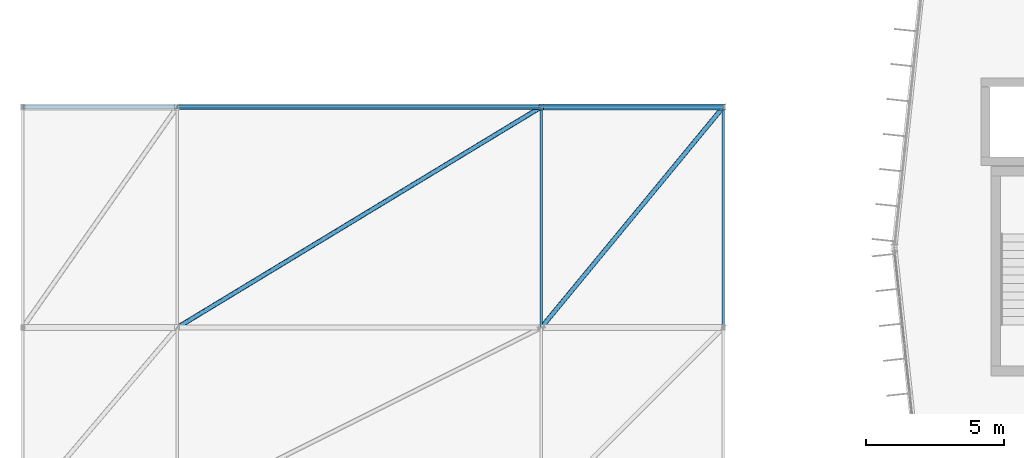
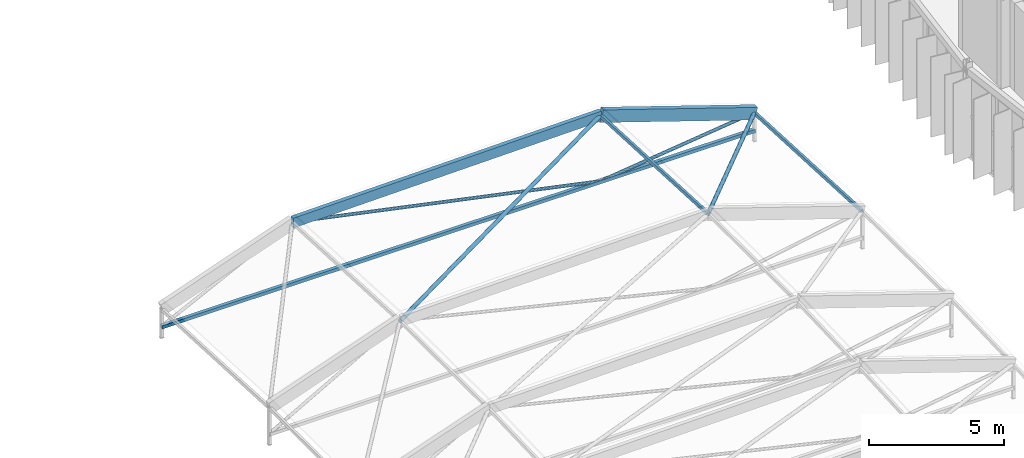
# One storey, part 37 of 134: 9 members.
"""IFC4 building model written with IfcOpenShell, lengths in metres."""

import ifcopenshell
import ifcopenshell.guid

model = None  # the IFC model being written
_history = None  # IfcOwnerHistory: only IFC2X3 demands one
_inside = {}  # id of a spatial element -> (the spatial element, [elements in it])
_under = {}  # id of a project, library or spatial element -> (it, [spatial elements below it])
_declared = {}  # id of a project -> (the project, [libraries it declares])
_typed = {}  # id of a type object -> (the type object, [elements of that type])
_made_of = {}  # id of a material, layer set ... -> (it, [elements and type objects made of it])


def new_model(schema):
    """Start an empty IFC model of exactly this schema.

    Asked for "IFC4X3", IfcOpenShell would pick the latest addendum, in which some entities
    have other attributes; the version numbers below select the first issue.
    IFC2X3 requires an IfcOwnerHistory on every rooted entity: one is made here for all.
    """
    global model, _history
    if schema == "IFC4X3":
        model = ifcopenshell.file(schema_version=(4, 3, 0, 0))
    else:
        model = ifcopenshell.file(schema=schema)
    _inside.clear()
    _under.clear()
    _declared.clear()
    _typed.clear()
    _made_of.clear()
    _history = None
    if model.schema == "IFC2X3":
        org = make("IfcOrganization", Name="unknown")
        user = make(
            "IfcPersonAndOrganization",
            ThePerson=make("IfcPerson", FamilyName="unknown"),
            TheOrganization=org,
        )
        app = make(
            "IfcApplication",
            ApplicationDeveloper=org,
            Version="unknown",
            ApplicationFullName="unknown",
            ApplicationIdentifier="unknown",
        )
        _history = make(
            "IfcOwnerHistory",
            OwningUser=user,
            OwningApplication=app,
            ChangeAction="ADDED",
            CreationDate=0,
        )
    return model


def make(cls, **values):
    """One entity of the class cls with the attributes given. An attribute that is None is left unset."""
    return model.create_entity(
        cls, **{name: value for name, value in values.items() if value is not None}
    )


def rooted(cls, **values):
    """An entity with a GlobalId (a new one), such as an element, a storey or a relation."""
    return make(cls, GlobalId=ifcopenshell.guid.new(), OwnerHistory=_history, **values)


def si_unit(unit_type, name, prefix=None):
    """IfcSIUnit, for example si_unit("LENGTHUNIT", "METRE", prefix="MILLI")."""
    return make("IfcSIUnit", UnitType=unit_type, Prefix=prefix, Name=name)


def assignment(units):
    """IfcUnitAssignment: the units of a project."""
    return None if units is None else make("IfcUnitAssignment", Units=units)


def point(xyz):
    """IfcCartesianPoint."""
    return None if xyz is None else make("IfcCartesianPoint", Coordinates=xyz)


def direction(xyz):
    """IfcDirection."""
    return None if xyz is None else make("IfcDirection", DirectionRatios=xyz)


def frame(location, z_axis=None, x_axis=None):
    """IfcAxis2Placement3D, a coordinate frame: its origin and axes. An axis left out is left unset."""
    return make(
        "IfcAxis2Placement3D",
        Location=point(location),
        Axis=direction(z_axis),
        RefDirection=direction(x_axis),
    )


def frame_2d(location, x_axis=None):
    """IfcAxis2Placement2D, a coordinate frame in the plane: its origin and x axis."""
    return make(
        "IfcAxis2Placement2D", Location=point(location), RefDirection=direction(x_axis)
    )


def origin():
    """The frame at (0, 0, 0) with its axes left unset."""
    return frame((0.0, 0.0, 0.0))


def origin_2d():
    """The frame at (0, 0) in the plane with its x axis left unset."""
    return frame_2d((0.0, 0.0))


def place(relative_to, where):
    """IfcLocalPlacement: puts the frame where relative to a parent placement (None: the world)."""
    return make(
        "IfcLocalPlacement", PlacementRelTo=relative_to, RelativePlacement=where
    )


def context(
    kind, dimensions, precision=None, world=None, true_north=None, identifier=None
):
    """IfcGeometricRepresentationContext, for example the 3D "Model" context."""
    return make(
        "IfcGeometricRepresentationContext",
        ContextIdentifier=identifier,
        ContextType=kind,
        CoordinateSpaceDimension=dimensions,
        Precision=precision,
        WorldCoordinateSystem=world,
        TrueNorth=true_north,
    )


def subcontext(parent, identifier, kind, view, scale=None):
    """IfcGeometricRepresentationSubContext, for example "Body" below "Model"."""
    return make(
        "IfcGeometricRepresentationSubContext",
        ContextIdentifier=identifier,
        ContextType=kind,
        ParentContext=parent,
        TargetScale=scale,
        TargetView=view,
    )


def project(units=None, contexts=None):
    """IfcProject with its units and contexts."""
    return rooted(
        "IfcProject",
        Name="project",
        RepresentationContexts=contexts,
        UnitsInContext=assignment(units),
    )


def spatial(cls, under=None, at=None, **own):
    """A site, building, storey or space (cls), placed at a placement, below another one or the project."""
    s = rooted(cls, ObjectPlacement=at, **own)
    if under is not None:
        _under.setdefault(under.id(), (under, []))[1].append(s)
    return s


def profile(cls, at=None, kind="AREA", **sizes):
    """A parametric profile (cls). Its sizes go by their IFC names, for example OverallWidth=200.0."""
    return make(cls, ProfileType=kind, Position=at, **sizes)


def rectangle(**sizes):
    """IfcRectangleProfileDef."""
    return profile("IfcRectangleProfileDef", **sizes)


def hollow_rectangle(**sizes):
    """IfcRectangleHollowProfileDef."""
    return profile("IfcRectangleHollowProfileDef", **sizes)


def hollow_circle(**sizes):
    """IfcCircleHollowProfileDef."""
    return profile("IfcCircleHollowProfileDef", **sizes)


def extrude(swept, where, along, depth):
    """IfcExtrudedAreaSolid: the profile swept, set in the frame where, extruded along a direction by depth."""
    return make(
        "IfcExtrudedAreaSolid",
        SweptArea=swept,
        Position=where,
        ExtrudedDirection=direction(along),
        Depth=depth,
    )


def shape(context_of_items, identifier, shape_type, items):
    """IfcShapeRepresentation: the items that make up one representation, for example the "Body"."""
    return make(
        "IfcShapeRepresentation",
        ContextOfItems=context_of_items,
        RepresentationIdentifier=identifier,
        RepresentationType=shape_type,
        Items=items,
    )


def material(Name=None, Category=None):
    """IfcMaterial."""
    return make("IfcMaterial", Name=Name, Category=Category)


def material_profile(
    of_material, cross_section, Name=None, Category=None, Priority=None
):
    """IfcMaterialProfile: a cross section and its material."""
    return make(
        "IfcMaterialProfile",
        Name=Name,
        Material=of_material,
        Profile=cross_section,
        Priority=Priority,
        Category=Category,
    )


def profile_set(profiles, Name=None, composite=None):
    """IfcMaterialProfileSet."""
    return make(
        "IfcMaterialProfileSet",
        Name=Name,
        MaterialProfiles=profiles,
        CompositeProfile=composite,
    )


def made_of(thing, what):
    """Note that an element or type object is made of a material, layer set ...; save() writes the relation."""
    if what is not None:
        _made_of.setdefault(what.id(), (what, []))[1].append(thing)
    return thing


def type_object(cls, material=None, **own):
    """A type object (cls), such as IfcWallType, which elements share."""
    return made_of(rooted(cls, **own), material)


def element(
    cls,
    number,
    at=None,
    inside=None,
    cuts=None,
    type_object=None,
    material=None,
    context=None,
    identifier="Body",
    shape_type=None,
    held_by="IfcProductDefinitionShape",
    body=None,
    shapes=None,
    **own,
):
    """One element of the class cls, such as IfcWall. Its Tag is "e" and its number.

    at: its placement. inside: the storey or other place that contains it. cuts: it is an
    opening in that element (IfcRelVoidsElement). A single representation is given by context,
    identifier, shape_type and body (its items); several are given by shapes. held_by: the class
    of the entity that holds the representations. save() writes the other relations.
    """
    e = rooted(cls, Tag="e%d" % number, ObjectPlacement=at, **own)
    if body is not None:
        shapes = [shape(context, identifier, shape_type, body)]
    if shapes is not None:
        e.Representation = make(held_by, Representations=shapes)
    if inside is not None:
        _inside.setdefault(inside.id(), (inside, []))[1].append(e)
    if cuts is not None:
        rooted(
            "IfcRelVoidsElement", RelatingBuildingElement=cuts, RelatedOpeningElement=e
        )
    if type_object is not None:
        _typed.setdefault(type_object.id(), (type_object, []))[1].append(e)
    return made_of(e, material)


def aggregate(whole, parts):
    """IfcRelAggregates: a whole, such as a stair, and the parts it consists of."""
    return rooted("IfcRelAggregates", RelatingObject=whole, RelatedObjects=parts)


def save(model, path):
    """Write the relations noted so far, then the file.

    IfcRelAggregates (storeys below a building ...), IfcRelContainedInSpatialStructure (elements
    in a storey), IfcRelDefinesByType, IfcRelAssociatesMaterial and IfcRelDeclares: one each for
    every whole, place, type object, material and project.
    """
    for whole, parts in _under.values():
        aggregate(whole, parts)
    for where, things in _inside.values():
        rooted(
            "IfcRelContainedInSpatialStructure",
            RelatedElements=things,
            RelatingStructure=where,
        )
    for kind, things in _typed.values():
        rooted("IfcRelDefinesByType", RelatedObjects=things, RelatingType=kind)
    for what, things in _made_of.values():
        rooted("IfcRelAssociatesMaterial", RelatedObjects=things, RelatingMaterial=what)
    for by, libraries in _declared.values():
        rooted("IfcRelDeclares", RelatingContext=by, RelatedDefinitions=libraries)
    model.write(path)


model = new_model("IFC4")

# Units and contexts
model_context = context("Model", 3, precision=1e-05, world=origin(), true_north=direction((0.0, 1.0)))
body_context = subcontext(model_context, "Body", "Model", "MODEL_VIEW")
ifc_project = project(units=[si_unit("LENGTHUNIT", "METRE"), si_unit("AREAUNIT", "SQUARE_METRE"), si_unit("VOLUMEUNIT", "CUBIC_METRE"), si_unit("PLANEANGLEUNIT", "RADIAN"), si_unit("MASSUNIT", "GRAM", prefix="KILO")], contexts=[model_context])

# Site, building, storey
site_placement = place(None, origin())
site = spatial("IfcSite", under=ifc_project, at=site_placement, CompositionType="ELEMENT")
building_placement = place(site_placement, origin())
building = spatial("IfcBuilding", under=site, at=building_placement, Name="Karori Crest Natural Sciences Institute", CompositionType="ELEMENT")
storey_placement = place(building_placement, frame((0.0, 0.0, 21.699951171875)))
storey = spatial("IfcBuildingStorey", under=building, at=storey_placement, Name="L05", CompositionType="ELEMENT", Elevation=21.699951171875)

# Members
ifc_material_1 = material(Name="Hollow structural steel AS/NZS 1163 Grade C350", Category="steel")
ifc_material_profile_1 = material_profile(ifc_material_1, hollow_circle(Radius=0.084228515625, WallThickness=0.007080078125, at=origin_2d()), Name="CHS168.3x7.1")
ifc_profile_set_1 = profile_set([ifc_material_profile_1], Name="Hollow structural steel AS/NZS 1163 Grade C350")
member_type_1 = type_object("IfcMemberType", Name="MT-03", PredefinedType="BRACE", material=ifc_profile_set_1)
member_1_placement = place(storey_placement, frame((7.39990234375, 47.0, 3.260986328125), z_axis=(0.855156175121, 0.518268801257, -0.010264784302), x_axis=(-0.518296107317, 0.855201230787, 0.0)))
element("IfcMember", 1, at=member_1_placement, inside=storey, type_object=member_type_1, Name="Diagonal Brace M-0409", PredefinedType="BRACE", context=body_context, shape_type="SweptSolid", body=[
    extrude(hollow_circle(Radius=0.084228515625, WallThickness=0.007080078125, at=origin_2d()), origin(), (0.0, 0.0, 1.0), 15.43603515625),
])
member_2_placement = place(storey_placement, frame((20.60009765625, 47.0, 3.494140625), z_axis=(0.617496676117, 0.748497432138, -0.241763208672), x_axis=(-0.771380212001, 0.636374550507, 0.0)))
element("IfcMember", 2, at=member_2_placement, inside=storey, type_object=member_type_1, Name="Diagonal Brace M-0414", PredefinedType="BRACE", context=body_context, shape_type="SweptSolid", body=[
    extrude(hollow_circle(Radius=0.084228515625, WallThickness=0.007080078125, at=origin_2d()), origin(), (0.0, 0.0, 1.0), 10.68798828125),
])
ifc_material_profile_2 = material_profile(ifc_material_1, hollow_rectangle(XDim=0.10009765625, YDim=0.14990234375, WallThickness=0.006103515625, at=origin_2d()), Name="RHS150x100x6")
ifc_profile_set_2 = profile_set([ifc_material_profile_2], Name="Hollow structural steel AS/NZS 1163 Grade C350")
member_type_2 = type_object("IfcMemberType", Name="MT-11", PredefinedType="PURLIN", material=ifc_profile_set_2)
for number, where, z_axis, x_axis, name in (
    (3, (20.60009765625, 47.0, 3.494140625), (0.0, 0.998804087924, -0.048891655183), (-1.0, 0.0, 0.0), "Member M-0412"),
    (4, (27.199951171875, 47.0, 1.3017578125), (0.0, 0.998804087924, -0.048891655183), (-1.0, 0.0, 0.0), "Member M-0413"),
):
    element("IfcMember", number, at=place(storey_placement, frame(where, z_axis=z_axis, x_axis=x_axis)), inside=storey, type_object=member_type_2, Name=name, PredefinedType="PURLIN", context=body_context, shape_type="SweptSolid", body=[
        extrude(hollow_rectangle(XDim=0.10009765625, YDim=0.14990234375, WallThickness=0.006103515625, at=origin_2d()), origin(), (0.0, 0.0, 1.0), 8.009521484375),
    ])
ifc_material_profile_3 = material_profile(ifc_material_1, hollow_rectangle(XDim=0.14990234375, YDim=0.14990234375, WallThickness=0.009033203125, at=origin_2d()), Name="SHS150x150x9")
ifc_profile_set_3 = profile_set([ifc_material_profile_3], Name="Hollow structural steel AS/NZS 1163 Grade C350")
member_type_3 = type_object("IfcMemberType", Name="MT-13-IL", PredefinedType="CHORD", material=ifc_profile_set_3)
member_3_placement = place(storey_placement, frame((1.800048828125, 55.0, 0.1201171875), z_axis=(1.0, 0.0, 0.0), x_axis=(0.0, 1.0, 0.0)))
element("IfcMember", 5, at=member_3_placement, inside=storey, type_object=member_type_3, Name="Member M-0417", PredefinedType="CHORD", context=body_context, shape_type="SweptSolid", body=[
    extrude(hollow_rectangle(XDim=0.14990234375, YDim=0.14990234375, WallThickness=0.009033203125, at=origin_2d()), origin(), (0.0, 0.0, 1.0), 25.39990234375),
])
ifc_material_2 = material(Name="Glulam GL12", Category="wood")
ifc_material_profile_4 = material_profile(ifc_material_2, rectangle(XDim=0.215087890625, YDim=0.5400390625, at=origin_2d()), Name="GL215x540")
ifc_profile_set_4 = profile_set([ifc_material_profile_4], Name="Glulam GL12")
member_type_4 = type_object("IfcMemberType", Name="MT-16", PredefinedType="USERDEFINED", material=ifc_profile_set_4)
member_4_placement = place(storey_placement, frame((20.60009765625, 55.0, 3.12255859375), z_axis=(0.948998771318, 0.0, -0.315279767884), x_axis=(0.0, 1.0, 0.0)))
element("IfcMember", 6, at=member_4_placement, inside=storey, type_object=member_type_4, Name="Member M-0422", ObjectType="ARCH_SEGMENT", PredefinedType="USERDEFINED", context=body_context, shape_type="SweptSolid", body=[
    extrude(rectangle(XDim=0.215087890625, YDim=0.5400390625, at=origin_2d()), origin(), (0.0, 0.0, 1.0), 6.95458984375),
])
ifc_material_profile_5 = material_profile(ifc_material_2, rectangle(XDim=0.179931640625, YDim=0.449951171875, at=origin_2d()), Name="GL180x450")
ifc_profile_set_5 = profile_set([ifc_material_profile_5], Name="Glulam GL12")
member_type_5 = type_object("IfcMemberType", Name="MT-17", PredefinedType="USERDEFINED", material=ifc_profile_set_5)
member_5_placement = place(storey_placement, frame((7.39990234375, 55.0, 2.88916015625), z_axis=(0.999843720015, 0.0, 0.017678674934), x_axis=(0.0, 1.0, 0.0)))
element("IfcMember", 7, at=member_5_placement, inside=storey, type_object=member_type_5, Name="Member M-0420", ObjectType="ARCH_SEGMENT", PredefinedType="USERDEFINED", context=body_context, shape_type="SweptSolid", body=[
    extrude(rectangle(XDim=0.179931640625, YDim=0.449951171875, at=origin_2d()), origin(), (0.0, 0.0, 1.0), 13.2021484375),
])
ifc_material_profile_6 = material_profile(ifc_material_1, hollow_circle(Radius=0.06982421875, WallThickness=0.00634765625, at=origin_2d()), Name="CHS139.7x6.4")
ifc_profile_set_6 = profile_set([ifc_material_profile_6], Name="Hollow structural steel AS/NZS 1163 Grade C350")
member_type_6 = type_object("IfcMemberType", Name="MT-18-IL", PredefinedType="STRUT", material=ifc_profile_set_6)
member_6_placement = place(storey_placement, frame((20.60009765625, 55.0, 0.1201171875), z_axis=(-0.978698181322, 0.0, 0.205304334774), x_axis=(0.0, -1.0, 0.0)))
element("IfcMember", 8, at=member_6_placement, inside=storey, type_object=member_type_6, Name="Member M-0421", PredefinedType="STRUT", context=body_context, shape_type="SweptSolid", body=[
    extrude(hollow_circle(Radius=0.06982421875, WallThickness=0.00634765625, at=origin_2d()), origin(), (0.0, 0.0, 1.0), 13.487548828125),
])
member_7_placement = place(storey_placement, frame((20.60009765625, 55.0, 0.1201171875), z_axis=(0.992556074715, 0.0, 0.121788499235), x_axis=(0.0, 1.0, 0.0)))
element("IfcMember", 9, at=member_7_placement, inside=storey, type_object=member_type_6, Name="Member M-0423", PredefinedType="STRUT", context=body_context, shape_type="SweptSolid", body=[
    extrude(hollow_circle(Radius=0.06982421875, WallThickness=0.00634765625, at=origin_2d()), origin(), (0.0, 0.0, 1.0), 6.6494140625),
])

save(model, "model.ifc")
